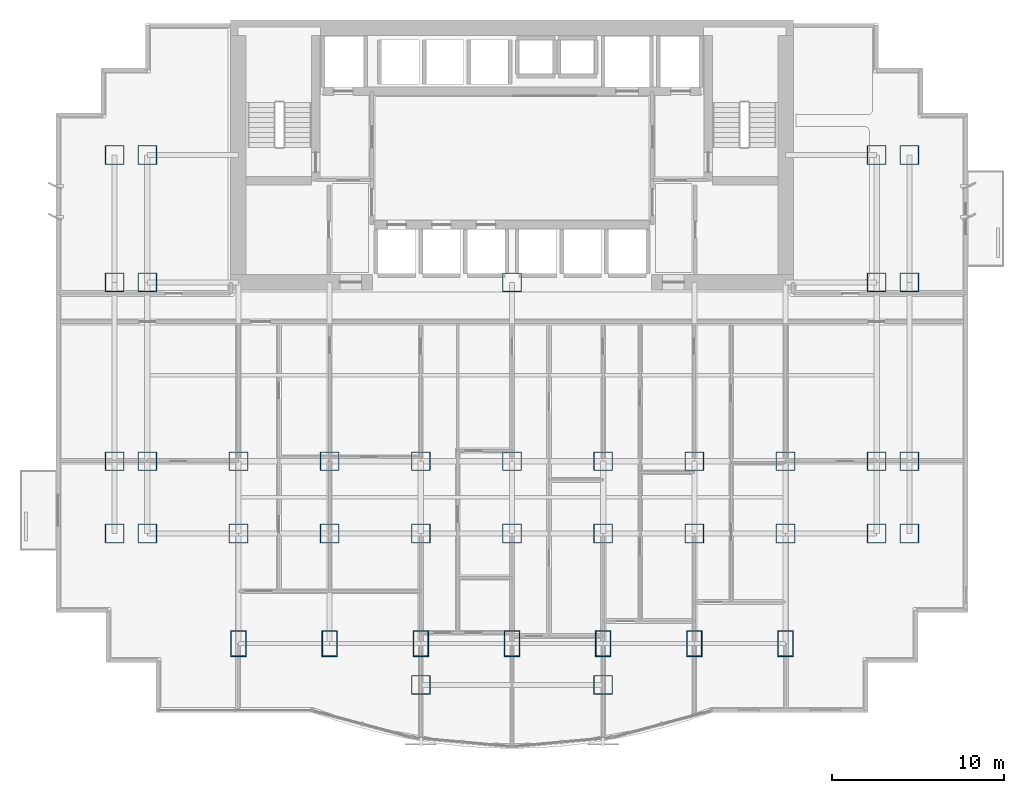
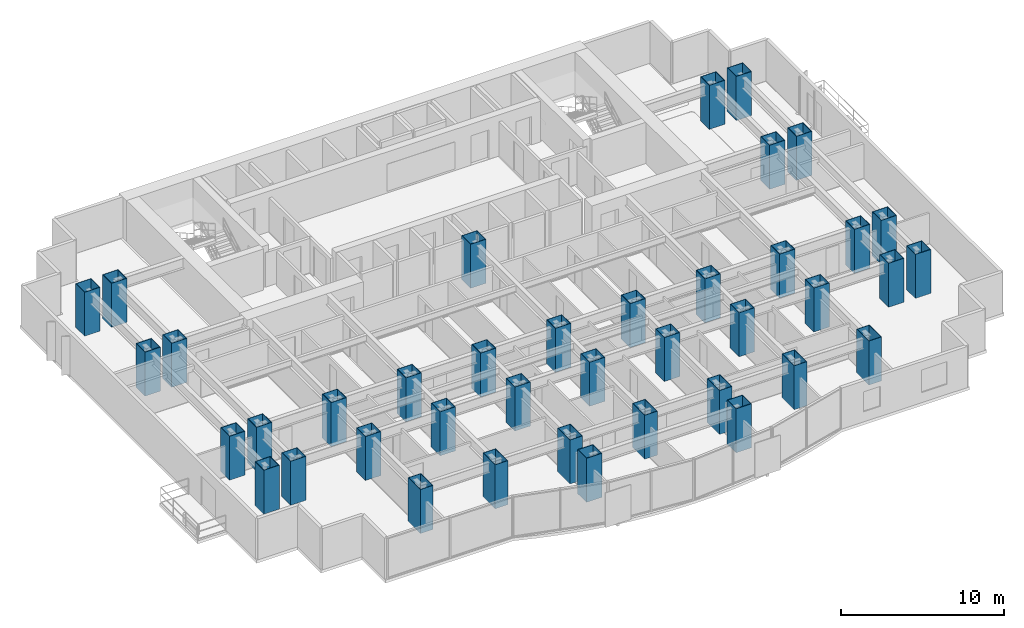
# One storey, part 1 of 10: 40 columns.
"""IFC4 building model written with IfcOpenShell, lengths in metres."""

from ifc_helpers import new_model, si_unit, direction, frame, origin, origin_2d, place, context, subcontext, project, spatial, hollow_rectangle, extrude, material, material_profile, profile_set, type_object, element, save


model = new_model("IFC4")

# Units and contexts
model_context = context("Model", 3, precision=1e-05, world=origin(), true_north=direction((0.0, 1.0)))
body_context = subcontext(model_context, "Body", "Model", "MODEL_VIEW")
ifc_project = project(units=[si_unit("LENGTHUNIT", "METRE"), si_unit("AREAUNIT", "SQUARE_METRE"), si_unit("VOLUMEUNIT", "CUBIC_METRE"), si_unit("PLANEANGLEUNIT", "RADIAN"), si_unit("MASSUNIT", "GRAM", prefix="KILO")], contexts=[model_context])

# Site, building, storey
site_placement = place(None, origin())
site = spatial("IfcSite", under=ifc_project, at=site_placement, CompositionType="ELEMENT")
building_placement = place(site_placement, origin())
building = spatial("IfcBuilding", under=site, at=building_placement, Name="Qianlan Lanfeng Residences", CompositionType="ELEMENT")
storey_placement = place(building_placement, frame((0.0, 0.0, 57.199951171875)))
storey = spatial("IfcBuildingStorey", under=building, at=storey_placement, Name="L15", CompositionType="ELEMENT", Elevation=57.199951171875)

# Columns
ifc_material = material(Name="Steel SN490B", Category="steel")
ifc_material_profile_1 = material_profile(ifc_material, hollow_rectangle(XDim=1.10009765625, YDim=1.10009765625, WallThickness=0.035888671875, at=origin_2d()), Name="BOX 1100x1100x36")
ifc_profile_set_1 = profile_set([ifc_material_profile_1], Name="Steel SN490B")
column_type_1 = type_object("IfcColumnType", Name="C-B1300", PredefinedType="COLUMN", material=ifc_profile_set_1)
for number, where, z_axis, x_axis, name in (
    (1, (26.5, 25.199951171875, 0.0), (0.0, 0.0, 1.0), (1.0, 0.0, 0.0), "L15 Structural Column CP_26.5_25.2"),
    (2, (10.60009765625, 14.800048828125, 0.0), (0.0, 0.0, 1.0), (1.0, 0.0, 0.0), "L15 Structural Column M_10.60_14.80"),
    (3, (10.60009765625, 10.60009765625, 0.0), (0.0, 0.0, 1.0), (1.0, 0.0, 0.0), "L15 Structural Column G_10.60_10.60"),
    (4, (15.89990234375, 14.800048828125, 0.0), (0.0, 0.0, 1.0), (1.0, 0.0, 0.0), "L15 Structural Column M_15.90_14.80"),
    (5, (15.89990234375, 10.60009765625, 0.0), (0.0, 0.0, 1.0), (1.0, 0.0, 0.0), "L15 Structural Column G_15.90_10.60"),
    (6, (21.199951171875, 14.800048828125, 0.0), (0.0, 0.0, 1.0), (1.0, 0.0, 0.0), "L15 Structural Column M_21.20_14.80"),
    (7, (21.199951171875, 10.60009765625, 0.0), (0.0, 0.0, 1.0), (1.0, 0.0, 0.0), "L15 Structural Column G_21.20_10.60"),
    (8, (26.5, 14.800048828125, 0.0), (0.0, 0.0, 1.0), (1.0, 0.0, 0.0), "L15 Structural Column M_26.50_14.80"),
    (9, (26.5, 10.60009765625, 0.0), (0.0, 0.0, 1.0), (1.0, 0.0, 0.0), "L15 Structural Column G_26.50_10.60"),
    (10, (31.800048828125, 14.800048828125, 0.0), (0.0, 0.0, 1.0), (1.0, 0.0, 0.0), "L15 Structural Column M_31.80_14.80"),
    (11, (31.800048828125, 10.60009765625, 0.0), (0.0, 0.0, 1.0), (1.0, 0.0, 0.0), "L15 Structural Column G_31.80_10.60"),
    (12, (37.10009765625, 14.800048828125, 0.0), (0.0, 0.0, 1.0), (1.0, 0.0, 0.0), "L15 Structural Column M_37.10_14.80"),
    (13, (37.10009765625, 10.60009765625, 0.0), (0.0, 0.0, 1.0), (1.0, 0.0, 0.0), "L15 Structural Column G_37.10_10.60"),
    (14, (42.39990234375, 14.800048828125, 0.0), (0.0, 0.0, 1.0), (1.0, 0.0, 0.0), "L15 Structural Column M_42.40_14.80"),
    (15, (42.39990234375, 10.60009765625, 0.0), (0.0, 0.0, 1.0), (1.0, 0.0, 0.0), "L15 Structural Column G_42.40_10.60"),
    (16, (21.199951171875, 1.800048828125, 0.0), (0.0, 0.0, 1.0), (1.0, 0.0, 0.0), "L15 Structural Column P_21.20_1.80"),
    (17, (31.800048828125, 1.800048828125, 0.0), (0.0, 0.0, 1.0), (1.0, 0.0, 0.0), "L15 Structural Column P_31.80_1.80"),
    (18, (3.39990234375, 10.60009765625, 0.0), (0.0, 0.0, 1.0), (1.0, 0.0, 0.0), "L15 Structural Column W_3.40_10.60"),
    (19, (3.39990234375, 14.800048828125, 0.0), (0.0, 0.0, 1.0), (1.0, 0.0, 0.0), "L15 Structural Column W_3.40_14.80"),
    (20, (3.39990234375, 25.199951171875, 0.0), (0.0, 0.0, 1.0), (1.0, 0.0, 0.0), "L15 Structural Column W_3.40_25.20"),
    (21, (3.39990234375, 32.60009765625, 0.0), (0.0, 0.0, 1.0), (1.0, 0.0, 0.0), "L15 Structural Column W_3.40_32.60"),
    (22, (5.300048828125, 10.60009765625, 0.0), (0.0, 0.0, 1.0), (1.0, 0.0, 0.0), "L15 Structural Column W_5.30_10.60"),
    (23, (5.300048828125, 14.800048828125, 0.0), (0.0, 0.0, 1.0), (1.0, 0.0, 0.0), "L15 Structural Column W_5.30_14.80"),
    (24, (5.300048828125, 25.199951171875, 0.0), (0.0, 0.0, 1.0), (1.0, 0.0, 0.0), "L15 Structural Column W_5.30_25.20"),
    (25, (5.300048828125, 32.60009765625, 0.0), (0.0, 0.0, 1.0), (1.0, 0.0, 0.0), "L15 Structural Column W_5.30_32.60"),
    (26, (47.699951171875, 10.60009765625, 0.0), (0.0, 0.0, 1.0), (1.0, 0.0, 0.0), "L15 Structural Column W_47.70_10.60"),
    (27, (47.699951171875, 14.800048828125, 0.0), (0.0, 0.0, 1.0), (1.0, 0.0, 0.0), "L15 Structural Column W_47.70_14.80"),
    (28, (47.699951171875, 25.199951171875, 0.0), (0.0, 0.0, 1.0), (1.0, 0.0, 0.0), "L15 Structural Column W_47.70_25.20"),
    (29, (47.699951171875, 32.60009765625, 0.0), (0.0, 0.0, 1.0), (1.0, 0.0, 0.0), "L15 Structural Column W_47.70_32.60"),
    (30, (49.60009765625, 10.60009765625, 0.0), (0.0, 0.0, 1.0), (1.0, 0.0, 0.0), "L15 Structural Column W_49.60_10.60"),
    (31, (49.60009765625, 14.800048828125, 0.0), (0.0, 0.0, 1.0), (1.0, 0.0, 0.0), "L15 Structural Column W_49.60_14.80"),
    (32, (49.60009765625, 25.199951171875, 0.0), (0.0, 0.0, 1.0), (1.0, 0.0, 0.0), "L15 Structural Column W_49.60_25.20"),
    (33, (49.60009765625, 32.60009765625, 0.0), (0.0, 0.0, 1.0), (1.0, 0.0, 0.0), "L15 Structural Column W_49.60_32.60"),
):
    element("IfcColumn", number, at=place(storey_placement, frame(where, z_axis=z_axis, x_axis=x_axis)), inside=storey, type_object=column_type_1, Name=name, PredefinedType="COLUMN", context=body_context, shape_type="SweptSolid", body=[
        extrude(hollow_rectangle(XDim=1.10009765625, YDim=1.10009765625, WallThickness=0.035888671875, at=origin_2d()), origin(), (0.0, 0.0, 1.0), 3.300048828125),
    ])
ifc_material_profile_2 = material_profile(ifc_material, hollow_rectangle(XDim=0.89990234375, YDim=1.5, WallThickness=0.035888671875, at=origin_2d()), Name="BOX 1500x900x36")
ifc_profile_set_2 = profile_set([ifc_material_profile_2], Name="Steel SN490B")
column_type_2 = type_object("IfcColumnType", Name="CE-B1250", PredefinedType="COLUMN", material=ifc_profile_set_2)
for number, where, z_axis, x_axis, name in (
    (34, (10.60009765625, 4.199951171875, 0.0), (0.0, 0.0, 1.0), (1.0, 0.0, 0.0), "L15 Structural Column S_10.60_4.20"),
    (35, (15.89990234375, 4.199951171875, 0.0), (0.0, 0.0, 1.0), (1.0, 0.0, 0.0), "L15 Structural Column S_15.90_4.20"),
    (36, (21.199951171875, 4.199951171875, 0.0), (0.0, 0.0, 1.0), (1.0, 0.0, 0.0), "L15 Structural Column S_21.20_4.20"),
    (37, (26.5, 4.199951171875, 0.0), (0.0, 0.0, 1.0), (1.0, 0.0, 0.0), "L15 Structural Column S_26.50_4.20"),
    (38, (31.800048828125, 4.199951171875, 0.0), (0.0, 0.0, 1.0), (1.0, 0.0, 0.0), "L15 Structural Column S_31.80_4.20"),
    (39, (37.10009765625, 4.199951171875, 0.0), (0.0, 0.0, 1.0), (1.0, 0.0, 0.0), "L15 Structural Column S_37.10_4.20"),
    (40, (42.39990234375, 4.199951171875, 0.0), (0.0, 0.0, 1.0), (1.0, 0.0, 0.0), "L15 Structural Column S_42.40_4.20"),
):
    element("IfcColumn", number, at=place(storey_placement, frame(where, z_axis=z_axis, x_axis=x_axis)), inside=storey, type_object=column_type_2, Name=name, PredefinedType="COLUMN", context=body_context, shape_type="SweptSolid", body=[
        extrude(hollow_rectangle(XDim=0.89990234375, YDim=1.5, WallThickness=0.035888671875, at=origin_2d()), origin(), (0.0, 0.0, 1.0), 3.300048828125),
    ])

save(model, "model.ifc")
